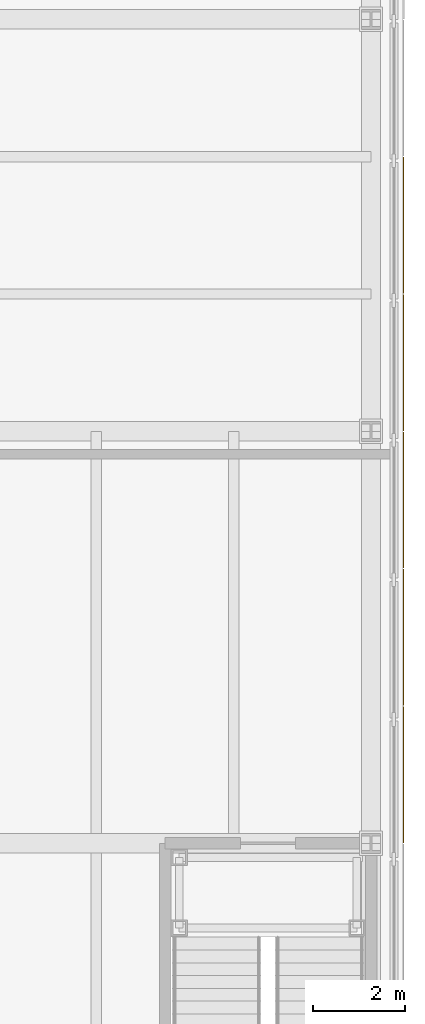
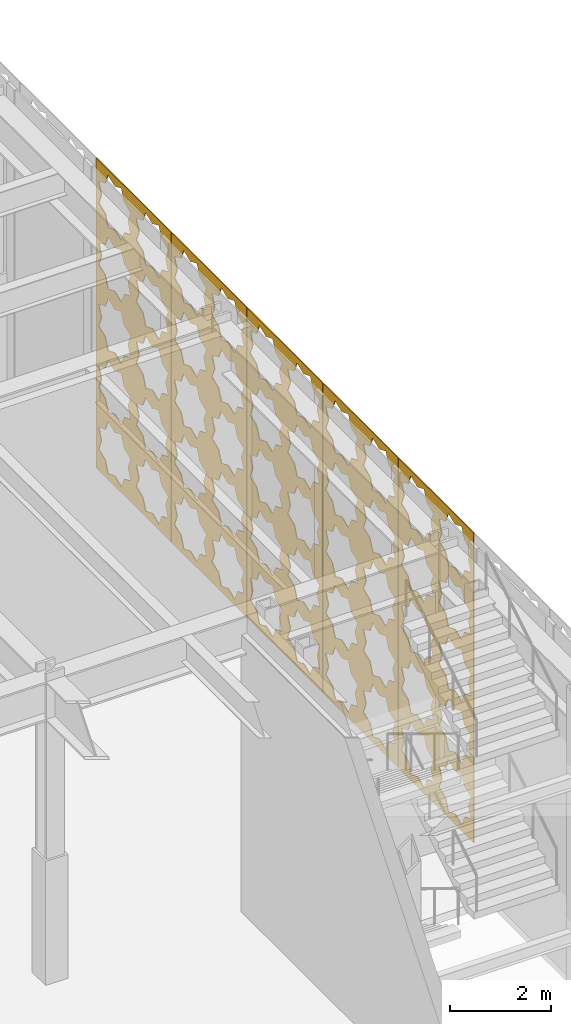
# One storey, part 31 of 34: 5 shading devices.
"""IFC4 building model written with IfcOpenShell, lengths in metres."""

import ifcopenshell
import ifcopenshell.guid

model = None  # the IFC model being written
_history = None  # IfcOwnerHistory: only IFC2X3 demands one
_inside = {}  # id of a spatial element -> (the spatial element, [elements in it])
_under = {}  # id of a project, library or spatial element -> (it, [spatial elements below it])
_declared = {}  # id of a project -> (the project, [libraries it declares])
_typed = {}  # id of a type object -> (the type object, [elements of that type])
_made_of = {}  # id of a material, layer set ... -> (it, [elements and type objects made of it])


def new_model(schema):
    """Start an empty IFC model of exactly this schema.

    Asked for "IFC4X3", IfcOpenShell would pick the latest addendum, in which some entities
    have other attributes; the version numbers below select the first issue.
    IFC2X3 requires an IfcOwnerHistory on every rooted entity: one is made here for all.
    """
    global model, _history
    if schema == "IFC4X3":
        model = ifcopenshell.file(schema_version=(4, 3, 0, 0))
    else:
        model = ifcopenshell.file(schema=schema)
    _inside.clear()
    _under.clear()
    _declared.clear()
    _typed.clear()
    _made_of.clear()
    _history = None
    if model.schema == "IFC2X3":
        org = make("IfcOrganization", Name="unknown")
        user = make(
            "IfcPersonAndOrganization",
            ThePerson=make("IfcPerson", FamilyName="unknown"),
            TheOrganization=org,
        )
        app = make(
            "IfcApplication",
            ApplicationDeveloper=org,
            Version="unknown",
            ApplicationFullName="unknown",
            ApplicationIdentifier="unknown",
        )
        _history = make(
            "IfcOwnerHistory",
            OwningUser=user,
            OwningApplication=app,
            ChangeAction="ADDED",
            CreationDate=0,
        )
    return model


def make(cls, **values):
    """One entity of the class cls with the attributes given. An attribute that is None is left unset."""
    return model.create_entity(
        cls, **{name: value for name, value in values.items() if value is not None}
    )


def rooted(cls, **values):
    """An entity with a GlobalId (a new one), such as an element, a storey or a relation."""
    return make(cls, GlobalId=ifcopenshell.guid.new(), OwnerHistory=_history, **values)


def si_unit(unit_type, name, prefix=None):
    """IfcSIUnit, for example si_unit("LENGTHUNIT", "METRE", prefix="MILLI")."""
    return make("IfcSIUnit", UnitType=unit_type, Prefix=prefix, Name=name)


def assignment(units):
    """IfcUnitAssignment: the units of a project."""
    return None if units is None else make("IfcUnitAssignment", Units=units)


def point(xyz):
    """IfcCartesianPoint."""
    return None if xyz is None else make("IfcCartesianPoint", Coordinates=xyz)


def direction(xyz):
    """IfcDirection."""
    return None if xyz is None else make("IfcDirection", DirectionRatios=xyz)


def frame(location, z_axis=None, x_axis=None):
    """IfcAxis2Placement3D, a coordinate frame: its origin and axes. An axis left out is left unset."""
    return make(
        "IfcAxis2Placement3D",
        Location=point(location),
        Axis=direction(z_axis),
        RefDirection=direction(x_axis),
    )


def origin():
    """The frame at (0, 0, 0) with its axes left unset."""
    return frame((0.0, 0.0, 0.0))


def place(relative_to, where):
    """IfcLocalPlacement: puts the frame where relative to a parent placement (None: the world)."""
    return make(
        "IfcLocalPlacement", PlacementRelTo=relative_to, RelativePlacement=where
    )


def context(
    kind, dimensions, precision=None, world=None, true_north=None, identifier=None
):
    """IfcGeometricRepresentationContext, for example the 3D "Model" context."""
    return make(
        "IfcGeometricRepresentationContext",
        ContextIdentifier=identifier,
        ContextType=kind,
        CoordinateSpaceDimension=dimensions,
        Precision=precision,
        WorldCoordinateSystem=world,
        TrueNorth=true_north,
    )


def subcontext(parent, identifier, kind, view, scale=None):
    """IfcGeometricRepresentationSubContext, for example "Body" below "Model"."""
    return make(
        "IfcGeometricRepresentationSubContext",
        ContextIdentifier=identifier,
        ContextType=kind,
        ParentContext=parent,
        TargetScale=scale,
        TargetView=view,
    )


def project(units=None, contexts=None):
    """IfcProject with its units and contexts."""
    return rooted(
        "IfcProject",
        Name="project",
        RepresentationContexts=contexts,
        UnitsInContext=assignment(units),
    )


def spatial(cls, under=None, at=None, **own):
    """A site, building, storey or space (cls), placed at a placement, below another one or the project."""
    s = rooted(cls, ObjectPlacement=at, **own)
    if under is not None:
        _under.setdefault(under.id(), (under, []))[1].append(s)
    return s


def polyline(points):
    """IfcPolyline through the points."""
    return make("IfcPolyline", Points=[point(p) for p in points])


def outline(outer, holes=None, kind="AREA"):
    """IfcArbitraryClosedProfileDef: a profile drawn as a closed curve; with holes, ...WithVoids."""
    if holes is None:
        return make("IfcArbitraryClosedProfileDef", ProfileType=kind, OuterCurve=outer)
    return make(
        "IfcArbitraryProfileDefWithVoids",
        ProfileType=kind,
        OuterCurve=outer,
        InnerCurves=holes,
    )


def extrude(swept, where, along, depth):
    """IfcExtrudedAreaSolid: the profile swept, set in the frame where, extruded along a direction by depth."""
    return make(
        "IfcExtrudedAreaSolid",
        SweptArea=swept,
        Position=where,
        ExtrudedDirection=direction(along),
        Depth=depth,
    )


def shape(context_of_items, identifier, shape_type, items):
    """IfcShapeRepresentation: the items that make up one representation, for example the "Body"."""
    return make(
        "IfcShapeRepresentation",
        ContextOfItems=context_of_items,
        RepresentationIdentifier=identifier,
        RepresentationType=shape_type,
        Items=items,
    )


def material(Name=None, Category=None):
    """IfcMaterial."""
    return make("IfcMaterial", Name=Name, Category=Category)


def layer(
    of_material, thickness, ventilated=None, Name=None, Category=None, Priority=None
):
    """IfcMaterialLayer: one layer of a wall or slab, of a material (None: an air gap)."""
    return make(
        "IfcMaterialLayer",
        Material=of_material,
        LayerThickness=thickness,
        IsVentilated=ventilated,
        Name=Name,
        Category=Category,
        Priority=Priority,
    )


def layer_set(layers, Name=None):
    """IfcMaterialLayerSet."""
    return make("IfcMaterialLayerSet", MaterialLayers=layers, LayerSetName=Name)


def made_of(thing, what):
    """Note that an element or type object is made of a material, layer set ...; save() writes the relation."""
    if what is not None:
        _made_of.setdefault(what.id(), (what, []))[1].append(thing)
    return thing


def type_object(cls, material=None, **own):
    """A type object (cls), such as IfcWallType, which elements share."""
    return made_of(rooted(cls, **own), material)


def element(
    cls,
    number,
    at=None,
    inside=None,
    cuts=None,
    type_object=None,
    material=None,
    context=None,
    identifier="Body",
    shape_type=None,
    held_by="IfcProductDefinitionShape",
    body=None,
    shapes=None,
    **own,
):
    """One element of the class cls, such as IfcWall. Its Tag is "e" and its number.

    at: its placement. inside: the storey or other place that contains it. cuts: it is an
    opening in that element (IfcRelVoidsElement). A single representation is given by context,
    identifier, shape_type and body (its items); several are given by shapes. held_by: the class
    of the entity that holds the representations. save() writes the other relations.
    """
    e = rooted(cls, Tag="e%d" % number, ObjectPlacement=at, **own)
    if body is not None:
        shapes = [shape(context, identifier, shape_type, body)]
    if shapes is not None:
        e.Representation = make(held_by, Representations=shapes)
    if inside is not None:
        _inside.setdefault(inside.id(), (inside, []))[1].append(e)
    if cuts is not None:
        rooted(
            "IfcRelVoidsElement", RelatingBuildingElement=cuts, RelatedOpeningElement=e
        )
    if type_object is not None:
        _typed.setdefault(type_object.id(), (type_object, []))[1].append(e)
    return made_of(e, material)


def aggregate(whole, parts):
    """IfcRelAggregates: a whole, such as a stair, and the parts it consists of."""
    return rooted("IfcRelAggregates", RelatingObject=whole, RelatedObjects=parts)


def save(model, path):
    """Write the relations noted so far, then the file.

    IfcRelAggregates (storeys below a building ...), IfcRelContainedInSpatialStructure (elements
    in a storey), IfcRelDefinesByType, IfcRelAssociatesMaterial and IfcRelDeclares: one each for
    every whole, place, type object, material and project.
    """
    for whole, parts in _under.values():
        aggregate(whole, parts)
    for where, things in _inside.values():
        rooted(
            "IfcRelContainedInSpatialStructure",
            RelatedElements=things,
            RelatingStructure=where,
        )
    for kind, things in _typed.values():
        rooted("IfcRelDefinesByType", RelatedObjects=things, RelatingType=kind)
    for what, things in _made_of.values():
        rooted("IfcRelAssociatesMaterial", RelatedObjects=things, RelatingMaterial=what)
    for by, libraries in _declared.values():
        rooted("IfcRelDeclares", RelatingContext=by, RelatedDefinitions=libraries)
    model.write(path)


model = new_model("IFC4")

# Units and contexts
model_context = context("Model", 3, precision=1e-05, world=origin(), true_north=direction((0.0, 1.0)))
body_context = subcontext(model_context, "Body", "Model", "MODEL_VIEW")
ifc_project = project(units=[si_unit("LENGTHUNIT", "METRE"), si_unit("AREAUNIT", "SQUARE_METRE"), si_unit("VOLUMEUNIT", "CUBIC_METRE"), si_unit("PLANEANGLEUNIT", "RADIAN"), si_unit("MASSUNIT", "GRAM", prefix="KILO")], contexts=[model_context])

# Site, building, storey
site_placement = place(None, origin())
site = spatial("IfcSite", under=ifc_project, at=site_placement, CompositionType="ELEMENT")
building_placement = place(site_placement, origin())
building = spatial("IfcBuilding", under=site, at=building_placement, Name="Chuquiago Exchange Tower", CompositionType="ELEMENT")
storey_placement = place(building_placement, frame((0.0, 0.0, 6.0)))
storey = spatial("IfcBuildingStorey", under=building, at=storey_placement, Name="L01", CompositionType="ELEMENT", Elevation=6.0)

# Shading devices
ifc_material = material(Name="Pale metal, perforated in an eight-point star pattern", Category="aluminium")
ifc_layer = layer(ifc_material, 0.02001953125)
ifc_layer_set = layer_set([ifc_layer], Name="SC1 mashrabiya screen 20")
shading_device_type = type_object("IfcShadingDeviceType", Name="SC1 mashrabiya screen 20", PredefinedType="SHUTTER", material=ifc_layer_set)
shading_device_1_placement = place(storey_placement, frame((54.699951171875, -8.989990234375, -0.199951171875), z_axis=(0.0, 0.0, 1.0), x_axis=(0.0, 1.0, 0.0)))
element("IfcShadingDevice", 1, at=shading_device_1_placement, inside=storey, type_object=shading_device_type, Name="Mashrabiya screen L01 E 4", PredefinedType="SHUTTER", context=body_context, shape_type="SweptSolid", body=[
    extrude(outline(polyline([(0.0, 0.0), (2.97998046875, 0.0), (2.97998046875, 7.5), (0.0, 7.5), (0.0, 0.0)]), holes=[polyline([(1.26953125, 0.77001953125), (1.378173828125, 1.0322265625), (1.115966796875, 1.140869140625), (1.00732421875, 1.403076171875), (0.7451171875, 1.29443359375), (0.482666015625, 1.403076171875), (0.3740234375, 1.140869140625), (0.11181640625, 1.0322265625), (0.220458984375, 0.77001953125), (0.11181640625, 0.507568359375), (0.3740234375, 0.39892578125), (0.482666015625, 0.13671875), (0.7451171875, 0.245361328125), (1.00732421875, 0.13671875), (1.115966796875, 0.39892578125), (1.378173828125, 0.507568359375), (1.26953125, 0.77001953125)]), polyline([(2.759521484375, 0.77001953125), (2.8681640625, 1.0322265625), (2.60595703125, 1.140869140625), (2.497314453125, 1.403076171875), (2.235107421875, 1.29443359375), (1.97265625, 1.403076171875), (1.864013671875, 1.140869140625), (1.601806640625, 1.0322265625), (1.71044921875, 0.77001953125), (1.601806640625, 0.507568359375), (1.864013671875, 0.39892578125), (1.97265625, 0.13671875), (2.235107421875, 0.245361328125), (2.497314453125, 0.13671875), (2.60595703125, 0.39892578125), (2.8681640625, 0.507568359375), (2.759521484375, 0.77001953125)]), polyline([(1.26953125, 2.260009765625), (1.378173828125, 2.522216796875), (1.115966796875, 2.630859375), (1.00732421875, 2.89306640625), (0.7451171875, 2.78466796875), (0.482666015625, 2.89306640625), (0.3740234375, 2.630859375), (0.11181640625, 2.522216796875), (0.220458984375, 2.260009765625), (0.11181640625, 1.99755859375), (0.3740234375, 1.888916015625), (0.482666015625, 1.626708984375), (0.7451171875, 1.7353515625), (1.00732421875, 1.626708984375), (1.115966796875, 1.888916015625), (1.378173828125, 1.99755859375), (1.26953125, 2.260009765625)]), polyline([(2.759521484375, 2.260009765625), (2.8681640625, 2.522216796875), (2.60595703125, 2.630859375), (2.497314453125, 2.89306640625), (2.235107421875, 2.78466796875), (1.97265625, 2.89306640625), (1.864013671875, 2.630859375), (1.601806640625, 2.522216796875), (1.71044921875, 2.260009765625), (1.601806640625, 1.99755859375), (1.864013671875, 1.888916015625), (1.97265625, 1.626708984375), (2.235107421875, 1.7353515625), (2.497314453125, 1.626708984375), (2.60595703125, 1.888916015625), (2.8681640625, 1.99755859375), (2.759521484375, 2.260009765625)]), polyline([(1.26953125, 3.75), (1.378173828125, 4.01220703125), (1.115966796875, 4.120849609375), (1.00732421875, 4.383056640625), (0.7451171875, 4.274658203125), (0.482666015625, 4.383056640625), (0.3740234375, 4.120849609375), (0.11181640625, 4.01220703125), (0.220458984375, 3.75), (0.11181640625, 3.487548828125), (0.3740234375, 3.37890625), (0.482666015625, 3.11669921875), (0.7451171875, 3.225341796875), (1.00732421875, 3.11669921875), (1.115966796875, 3.37890625), (1.378173828125, 3.487548828125), (1.26953125, 3.75)]), polyline([(2.759521484375, 3.75), (2.8681640625, 4.01220703125), (2.60595703125, 4.120849609375), (2.497314453125, 4.383056640625), (2.235107421875, 4.274658203125), (1.97265625, 4.383056640625), (1.864013671875, 4.120849609375), (1.601806640625, 4.01220703125), (1.71044921875, 3.75), (1.601806640625, 3.487548828125), (1.864013671875, 3.37890625), (1.97265625, 3.11669921875), (2.235107421875, 3.225341796875), (2.497314453125, 3.11669921875), (2.60595703125, 3.37890625), (2.8681640625, 3.487548828125), (2.759521484375, 3.75)]), polyline([(1.26953125, 5.239990234375), (1.378173828125, 5.502197265625), (1.115966796875, 5.61083984375), (1.00732421875, 5.873046875), (0.7451171875, 5.7646484375), (0.482666015625, 5.873046875), (0.3740234375, 5.61083984375), (0.11181640625, 5.502197265625), (0.220458984375, 5.239990234375), (0.11181640625, 4.9775390625), (0.3740234375, 4.868896484375), (0.482666015625, 4.606689453125), (0.7451171875, 4.71533203125), (1.00732421875, 4.606689453125), (1.115966796875, 4.868896484375), (1.378173828125, 4.9775390625), (1.26953125, 5.239990234375)]), polyline([(2.759521484375, 5.239990234375), (2.8681640625, 5.502197265625), (2.60595703125, 5.61083984375), (2.497314453125, 5.873046875), (2.235107421875, 5.7646484375), (1.97265625, 5.873046875), (1.864013671875, 5.61083984375), (1.601806640625, 5.502197265625), (1.71044921875, 5.239990234375), (1.601806640625, 4.9775390625), (1.864013671875, 4.868896484375), (1.97265625, 4.606689453125), (2.235107421875, 4.71533203125), (2.497314453125, 4.606689453125), (2.60595703125, 4.868896484375), (2.8681640625, 4.9775390625), (2.759521484375, 5.239990234375)]), polyline([(1.26953125, 6.72998046875), (1.378173828125, 6.9921875), (1.115966796875, 7.100830078125), (1.00732421875, 7.363037109375), (0.7451171875, 7.254638671875), (0.482666015625, 7.363037109375), (0.3740234375, 7.100830078125), (0.11181640625, 6.9921875), (0.220458984375, 6.72998046875), (0.11181640625, 6.467529296875), (0.3740234375, 6.35888671875), (0.482666015625, 6.0966796875), (0.7451171875, 6.205322265625), (1.00732421875, 6.0966796875), (1.115966796875, 6.35888671875), (1.378173828125, 6.467529296875), (1.26953125, 6.72998046875)]), polyline([(2.759521484375, 6.72998046875), (2.8681640625, 6.9921875), (2.60595703125, 7.100830078125), (2.497314453125, 7.363037109375), (2.235107421875, 7.254638671875), (1.97265625, 7.363037109375), (1.864013671875, 7.100830078125), (1.601806640625, 6.9921875), (1.71044921875, 6.72998046875), (1.601806640625, 6.467529296875), (1.864013671875, 6.35888671875), (1.97265625, 6.0966796875), (2.235107421875, 6.205322265625), (2.497314453125, 6.0966796875), (2.60595703125, 6.35888671875), (2.8681640625, 6.467529296875), (2.759521484375, 6.72998046875)])]), frame((0.0, 0.0, 0.0), z_axis=(0.0, -1.0, 0.0), x_axis=(1.0, 0.0, 0.0)), (0.0, 0.0, 1.0), 0.02001953125),
])
shading_device_2_placement = place(storey_placement, frame((54.699951171875, -5.989990234375, -0.199951171875), z_axis=(0.0, 0.0, 1.0), x_axis=(0.0, 1.0, 0.0)))
element("IfcShadingDevice", 2, at=shading_device_2_placement, inside=storey, type_object=shading_device_type, Name="Mashrabiya screen L01 E 5", PredefinedType="SHUTTER", context=body_context, shape_type="SweptSolid", body=[
    extrude(outline(polyline([(0.0, 0.0), (2.97998046875, 0.0), (2.97998046875, 7.5), (0.0, 7.5), (0.0, 0.0)]), holes=[polyline([(1.26953125, 0.77001953125), (1.378173828125, 1.0322265625), (1.115966796875, 1.140869140625), (1.00732421875, 1.403076171875), (0.7451171875, 1.29443359375), (0.482666015625, 1.403076171875), (0.3740234375, 1.140869140625), (0.11181640625, 1.0322265625), (0.220458984375, 0.77001953125), (0.11181640625, 0.507568359375), (0.3740234375, 0.39892578125), (0.482666015625, 0.13671875), (0.7451171875, 0.245361328125), (1.00732421875, 0.13671875), (1.115966796875, 0.39892578125), (1.378173828125, 0.507568359375), (1.26953125, 0.77001953125)]), polyline([(2.759521484375, 0.77001953125), (2.8681640625, 1.0322265625), (2.60595703125, 1.140869140625), (2.497314453125, 1.403076171875), (2.235107421875, 1.29443359375), (1.97265625, 1.403076171875), (1.864013671875, 1.140869140625), (1.601806640625, 1.0322265625), (1.71044921875, 0.77001953125), (1.601806640625, 0.507568359375), (1.864013671875, 0.39892578125), (1.97265625, 0.13671875), (2.235107421875, 0.245361328125), (2.497314453125, 0.13671875), (2.60595703125, 0.39892578125), (2.8681640625, 0.507568359375), (2.759521484375, 0.77001953125)]), polyline([(1.26953125, 2.260009765625), (1.378173828125, 2.522216796875), (1.115966796875, 2.630859375), (1.00732421875, 2.89306640625), (0.7451171875, 2.78466796875), (0.482666015625, 2.89306640625), (0.3740234375, 2.630859375), (0.11181640625, 2.522216796875), (0.220458984375, 2.260009765625), (0.11181640625, 1.99755859375), (0.3740234375, 1.888916015625), (0.482666015625, 1.626708984375), (0.7451171875, 1.7353515625), (1.00732421875, 1.626708984375), (1.115966796875, 1.888916015625), (1.378173828125, 1.99755859375), (1.26953125, 2.260009765625)]), polyline([(2.759521484375, 2.260009765625), (2.8681640625, 2.522216796875), (2.60595703125, 2.630859375), (2.497314453125, 2.89306640625), (2.235107421875, 2.78466796875), (1.97265625, 2.89306640625), (1.864013671875, 2.630859375), (1.601806640625, 2.522216796875), (1.71044921875, 2.260009765625), (1.601806640625, 1.99755859375), (1.864013671875, 1.888916015625), (1.97265625, 1.626708984375), (2.235107421875, 1.7353515625), (2.497314453125, 1.626708984375), (2.60595703125, 1.888916015625), (2.8681640625, 1.99755859375), (2.759521484375, 2.260009765625)]), polyline([(1.26953125, 3.75), (1.378173828125, 4.01220703125), (1.115966796875, 4.120849609375), (1.00732421875, 4.383056640625), (0.7451171875, 4.274658203125), (0.482666015625, 4.383056640625), (0.3740234375, 4.120849609375), (0.11181640625, 4.01220703125), (0.220458984375, 3.75), (0.11181640625, 3.487548828125), (0.3740234375, 3.37890625), (0.482666015625, 3.11669921875), (0.7451171875, 3.225341796875), (1.00732421875, 3.11669921875), (1.115966796875, 3.37890625), (1.378173828125, 3.487548828125), (1.26953125, 3.75)]), polyline([(2.759521484375, 3.75), (2.8681640625, 4.01220703125), (2.60595703125, 4.120849609375), (2.497314453125, 4.383056640625), (2.235107421875, 4.274658203125), (1.97265625, 4.383056640625), (1.864013671875, 4.120849609375), (1.601806640625, 4.01220703125), (1.71044921875, 3.75), (1.601806640625, 3.487548828125), (1.864013671875, 3.37890625), (1.97265625, 3.11669921875), (2.235107421875, 3.225341796875), (2.497314453125, 3.11669921875), (2.60595703125, 3.37890625), (2.8681640625, 3.487548828125), (2.759521484375, 3.75)]), polyline([(1.26953125, 5.239990234375), (1.378173828125, 5.502197265625), (1.115966796875, 5.61083984375), (1.00732421875, 5.873046875), (0.7451171875, 5.7646484375), (0.482666015625, 5.873046875), (0.3740234375, 5.61083984375), (0.11181640625, 5.502197265625), (0.220458984375, 5.239990234375), (0.11181640625, 4.9775390625), (0.3740234375, 4.868896484375), (0.482666015625, 4.606689453125), (0.7451171875, 4.71533203125), (1.00732421875, 4.606689453125), (1.115966796875, 4.868896484375), (1.378173828125, 4.9775390625), (1.26953125, 5.239990234375)]), polyline([(2.759521484375, 5.239990234375), (2.8681640625, 5.502197265625), (2.60595703125, 5.61083984375), (2.497314453125, 5.873046875), (2.235107421875, 5.7646484375), (1.97265625, 5.873046875), (1.864013671875, 5.61083984375), (1.601806640625, 5.502197265625), (1.71044921875, 5.239990234375), (1.601806640625, 4.9775390625), (1.864013671875, 4.868896484375), (1.97265625, 4.606689453125), (2.235107421875, 4.71533203125), (2.497314453125, 4.606689453125), (2.60595703125, 4.868896484375), (2.8681640625, 4.9775390625), (2.759521484375, 5.239990234375)]), polyline([(1.26953125, 6.72998046875), (1.378173828125, 6.9921875), (1.115966796875, 7.100830078125), (1.00732421875, 7.363037109375), (0.7451171875, 7.254638671875), (0.482666015625, 7.363037109375), (0.3740234375, 7.100830078125), (0.11181640625, 6.9921875), (0.220458984375, 6.72998046875), (0.11181640625, 6.467529296875), (0.3740234375, 6.35888671875), (0.482666015625, 6.0966796875), (0.7451171875, 6.205322265625), (1.00732421875, 6.0966796875), (1.115966796875, 6.35888671875), (1.378173828125, 6.467529296875), (1.26953125, 6.72998046875)]), polyline([(2.759521484375, 6.72998046875), (2.8681640625, 6.9921875), (2.60595703125, 7.100830078125), (2.497314453125, 7.363037109375), (2.235107421875, 7.254638671875), (1.97265625, 7.363037109375), (1.864013671875, 7.100830078125), (1.601806640625, 6.9921875), (1.71044921875, 6.72998046875), (1.601806640625, 6.467529296875), (1.864013671875, 6.35888671875), (1.97265625, 6.0966796875), (2.235107421875, 6.205322265625), (2.497314453125, 6.0966796875), (2.60595703125, 6.35888671875), (2.8681640625, 6.467529296875), (2.759521484375, 6.72998046875)])]), frame((0.0, 0.0, 0.0), z_axis=(0.0, -1.0, 0.0), x_axis=(1.0, 0.0, 0.0)), (0.0, 0.0, 1.0), 0.02001953125),
])
shading_device_3_placement = place(storey_placement, frame((54.699951171875, -2.989990234375, -0.199951171875), z_axis=(0.0, 0.0, 1.0), x_axis=(0.0, 1.0, 0.0)))
element("IfcShadingDevice", 3, at=shading_device_3_placement, inside=storey, type_object=shading_device_type, Name="Mashrabiya screen L01 E 6", PredefinedType="SHUTTER", context=body_context, shape_type="SweptSolid", body=[
    extrude(outline(polyline([(0.0, 0.0), (2.97998046875, 0.0), (2.97998046875, 7.5), (0.0, 7.5), (0.0, 0.0)]), holes=[polyline([(1.26953125, 0.77001953125), (1.378173828125, 1.0322265625), (1.115966796875, 1.140869140625), (1.00732421875, 1.403076171875), (0.7451171875, 1.29443359375), (0.482666015625, 1.403076171875), (0.3740234375, 1.140869140625), (0.11181640625, 1.0322265625), (0.220458984375, 0.77001953125), (0.11181640625, 0.507568359375), (0.3740234375, 0.39892578125), (0.482666015625, 0.13671875), (0.7451171875, 0.245361328125), (1.00732421875, 0.13671875), (1.115966796875, 0.39892578125), (1.378173828125, 0.507568359375), (1.26953125, 0.77001953125)]), polyline([(2.759521484375, 0.77001953125), (2.8681640625, 1.0322265625), (2.60595703125, 1.140869140625), (2.497314453125, 1.403076171875), (2.235107421875, 1.29443359375), (1.97265625, 1.403076171875), (1.864013671875, 1.140869140625), (1.601806640625, 1.0322265625), (1.71044921875, 0.77001953125), (1.601806640625, 0.507568359375), (1.864013671875, 0.39892578125), (1.97265625, 0.13671875), (2.235107421875, 0.245361328125), (2.497314453125, 0.13671875), (2.60595703125, 0.39892578125), (2.8681640625, 0.507568359375), (2.759521484375, 0.77001953125)]), polyline([(1.26953125, 2.260009765625), (1.378173828125, 2.522216796875), (1.115966796875, 2.630859375), (1.00732421875, 2.89306640625), (0.7451171875, 2.78466796875), (0.482666015625, 2.89306640625), (0.3740234375, 2.630859375), (0.11181640625, 2.522216796875), (0.220458984375, 2.260009765625), (0.11181640625, 1.99755859375), (0.3740234375, 1.888916015625), (0.482666015625, 1.626708984375), (0.7451171875, 1.7353515625), (1.00732421875, 1.626708984375), (1.115966796875, 1.888916015625), (1.378173828125, 1.99755859375), (1.26953125, 2.260009765625)]), polyline([(2.759521484375, 2.260009765625), (2.8681640625, 2.522216796875), (2.60595703125, 2.630859375), (2.497314453125, 2.89306640625), (2.235107421875, 2.78466796875), (1.97265625, 2.89306640625), (1.864013671875, 2.630859375), (1.601806640625, 2.522216796875), (1.71044921875, 2.260009765625), (1.601806640625, 1.99755859375), (1.864013671875, 1.888916015625), (1.97265625, 1.626708984375), (2.235107421875, 1.7353515625), (2.497314453125, 1.626708984375), (2.60595703125, 1.888916015625), (2.8681640625, 1.99755859375), (2.759521484375, 2.260009765625)]), polyline([(1.26953125, 3.75), (1.378173828125, 4.01220703125), (1.115966796875, 4.120849609375), (1.00732421875, 4.383056640625), (0.7451171875, 4.274658203125), (0.482666015625, 4.383056640625), (0.3740234375, 4.120849609375), (0.11181640625, 4.01220703125), (0.220458984375, 3.75), (0.11181640625, 3.487548828125), (0.3740234375, 3.37890625), (0.482666015625, 3.11669921875), (0.7451171875, 3.225341796875), (1.00732421875, 3.11669921875), (1.115966796875, 3.37890625), (1.378173828125, 3.487548828125), (1.26953125, 3.75)]), polyline([(2.759521484375, 3.75), (2.8681640625, 4.01220703125), (2.60595703125, 4.120849609375), (2.497314453125, 4.383056640625), (2.235107421875, 4.274658203125), (1.97265625, 4.383056640625), (1.864013671875, 4.120849609375), (1.601806640625, 4.01220703125), (1.71044921875, 3.75), (1.601806640625, 3.487548828125), (1.864013671875, 3.37890625), (1.97265625, 3.11669921875), (2.235107421875, 3.225341796875), (2.497314453125, 3.11669921875), (2.60595703125, 3.37890625), (2.8681640625, 3.487548828125), (2.759521484375, 3.75)]), polyline([(1.26953125, 5.239990234375), (1.378173828125, 5.502197265625), (1.115966796875, 5.61083984375), (1.00732421875, 5.873046875), (0.7451171875, 5.7646484375), (0.482666015625, 5.873046875), (0.3740234375, 5.61083984375), (0.11181640625, 5.502197265625), (0.220458984375, 5.239990234375), (0.11181640625, 4.9775390625), (0.3740234375, 4.868896484375), (0.482666015625, 4.606689453125), (0.7451171875, 4.71533203125), (1.00732421875, 4.606689453125), (1.115966796875, 4.868896484375), (1.378173828125, 4.9775390625), (1.26953125, 5.239990234375)]), polyline([(2.759521484375, 5.239990234375), (2.8681640625, 5.502197265625), (2.60595703125, 5.61083984375), (2.497314453125, 5.873046875), (2.235107421875, 5.7646484375), (1.97265625, 5.873046875), (1.864013671875, 5.61083984375), (1.601806640625, 5.502197265625), (1.71044921875, 5.239990234375), (1.601806640625, 4.9775390625), (1.864013671875, 4.868896484375), (1.97265625, 4.606689453125), (2.235107421875, 4.71533203125), (2.497314453125, 4.606689453125), (2.60595703125, 4.868896484375), (2.8681640625, 4.9775390625), (2.759521484375, 5.239990234375)]), polyline([(1.26953125, 6.72998046875), (1.378173828125, 6.9921875), (1.115966796875, 7.100830078125), (1.00732421875, 7.363037109375), (0.7451171875, 7.254638671875), (0.482666015625, 7.363037109375), (0.3740234375, 7.100830078125), (0.11181640625, 6.9921875), (0.220458984375, 6.72998046875), (0.11181640625, 6.467529296875), (0.3740234375, 6.35888671875), (0.482666015625, 6.0966796875), (0.7451171875, 6.205322265625), (1.00732421875, 6.0966796875), (1.115966796875, 6.35888671875), (1.378173828125, 6.467529296875), (1.26953125, 6.72998046875)]), polyline([(2.759521484375, 6.72998046875), (2.8681640625, 6.9921875), (2.60595703125, 7.100830078125), (2.497314453125, 7.363037109375), (2.235107421875, 7.254638671875), (1.97265625, 7.363037109375), (1.864013671875, 7.100830078125), (1.601806640625, 6.9921875), (1.71044921875, 6.72998046875), (1.601806640625, 6.467529296875), (1.864013671875, 6.35888671875), (1.97265625, 6.0966796875), (2.235107421875, 6.205322265625), (2.497314453125, 6.0966796875), (2.60595703125, 6.35888671875), (2.8681640625, 6.467529296875), (2.759521484375, 6.72998046875)])]), frame((0.0, 0.0, 0.0), z_axis=(0.0, -1.0, 0.0), x_axis=(1.0, 0.0, 0.0)), (0.0, 0.0, 1.0), 0.02001953125),
])
shading_device_4_placement = place(storey_placement, frame((54.699951171875, 0.010009765625, -0.199951171875), z_axis=(0.0, 0.0, 1.0), x_axis=(0.0, 1.0, 0.0)))
element("IfcShadingDevice", 4, at=shading_device_4_placement, inside=storey, type_object=shading_device_type, Name="Mashrabiya screen L01 E 7", PredefinedType="SHUTTER", context=body_context, shape_type="SweptSolid", body=[
    extrude(outline(polyline([(0.0, 0.0), (2.97998046875, 0.0), (2.97998046875, 7.5), (0.0, 7.5), (0.0, 0.0)]), holes=[polyline([(1.26953125, 0.77001953125), (1.378173828125, 1.0322265625), (1.115966796875, 1.140869140625), (1.00732421875, 1.403076171875), (0.7451171875, 1.29443359375), (0.482666015625, 1.403076171875), (0.3740234375, 1.140869140625), (0.11181640625, 1.0322265625), (0.220458984375, 0.77001953125), (0.11181640625, 0.507568359375), (0.3740234375, 0.39892578125), (0.482666015625, 0.13671875), (0.7451171875, 0.245361328125), (1.00732421875, 0.13671875), (1.115966796875, 0.39892578125), (1.378173828125, 0.507568359375), (1.26953125, 0.77001953125)]), polyline([(2.759521484375, 0.77001953125), (2.8681640625, 1.0322265625), (2.60595703125, 1.140869140625), (2.497314453125, 1.403076171875), (2.235107421875, 1.29443359375), (1.97265625, 1.403076171875), (1.864013671875, 1.140869140625), (1.601806640625, 1.0322265625), (1.71044921875, 0.77001953125), (1.601806640625, 0.507568359375), (1.864013671875, 0.39892578125), (1.97265625, 0.13671875), (2.235107421875, 0.245361328125), (2.497314453125, 0.13671875), (2.60595703125, 0.39892578125), (2.8681640625, 0.507568359375), (2.759521484375, 0.77001953125)]), polyline([(1.26953125, 2.260009765625), (1.378173828125, 2.522216796875), (1.115966796875, 2.630859375), (1.00732421875, 2.89306640625), (0.7451171875, 2.78466796875), (0.482666015625, 2.89306640625), (0.3740234375, 2.630859375), (0.11181640625, 2.522216796875), (0.220458984375, 2.260009765625), (0.11181640625, 1.99755859375), (0.3740234375, 1.888916015625), (0.482666015625, 1.626708984375), (0.7451171875, 1.7353515625), (1.00732421875, 1.626708984375), (1.115966796875, 1.888916015625), (1.378173828125, 1.99755859375), (1.26953125, 2.260009765625)]), polyline([(2.759521484375, 2.260009765625), (2.8681640625, 2.522216796875), (2.60595703125, 2.630859375), (2.497314453125, 2.89306640625), (2.235107421875, 2.78466796875), (1.97265625, 2.89306640625), (1.864013671875, 2.630859375), (1.601806640625, 2.522216796875), (1.71044921875, 2.260009765625), (1.601806640625, 1.99755859375), (1.864013671875, 1.888916015625), (1.97265625, 1.626708984375), (2.235107421875, 1.7353515625), (2.497314453125, 1.626708984375), (2.60595703125, 1.888916015625), (2.8681640625, 1.99755859375), (2.759521484375, 2.260009765625)]), polyline([(1.26953125, 3.75), (1.378173828125, 4.01220703125), (1.115966796875, 4.120849609375), (1.00732421875, 4.383056640625), (0.7451171875, 4.274658203125), (0.482666015625, 4.383056640625), (0.3740234375, 4.120849609375), (0.11181640625, 4.01220703125), (0.220458984375, 3.75), (0.11181640625, 3.487548828125), (0.3740234375, 3.37890625), (0.482666015625, 3.11669921875), (0.7451171875, 3.225341796875), (1.00732421875, 3.11669921875), (1.115966796875, 3.37890625), (1.378173828125, 3.487548828125), (1.26953125, 3.75)]), polyline([(2.759521484375, 3.75), (2.8681640625, 4.01220703125), (2.60595703125, 4.120849609375), (2.497314453125, 4.383056640625), (2.235107421875, 4.274658203125), (1.97265625, 4.383056640625), (1.864013671875, 4.120849609375), (1.601806640625, 4.01220703125), (1.71044921875, 3.75), (1.601806640625, 3.487548828125), (1.864013671875, 3.37890625), (1.97265625, 3.11669921875), (2.235107421875, 3.225341796875), (2.497314453125, 3.11669921875), (2.60595703125, 3.37890625), (2.8681640625, 3.487548828125), (2.759521484375, 3.75)]), polyline([(1.26953125, 5.239990234375), (1.378173828125, 5.502197265625), (1.115966796875, 5.61083984375), (1.00732421875, 5.873046875), (0.7451171875, 5.7646484375), (0.482666015625, 5.873046875), (0.3740234375, 5.61083984375), (0.11181640625, 5.502197265625), (0.220458984375, 5.239990234375), (0.11181640625, 4.9775390625), (0.3740234375, 4.868896484375), (0.482666015625, 4.606689453125), (0.7451171875, 4.71533203125), (1.00732421875, 4.606689453125), (1.115966796875, 4.868896484375), (1.378173828125, 4.9775390625), (1.26953125, 5.239990234375)]), polyline([(2.759521484375, 5.239990234375), (2.8681640625, 5.502197265625), (2.60595703125, 5.61083984375), (2.497314453125, 5.873046875), (2.235107421875, 5.7646484375), (1.97265625, 5.873046875), (1.864013671875, 5.61083984375), (1.601806640625, 5.502197265625), (1.71044921875, 5.239990234375), (1.601806640625, 4.9775390625), (1.864013671875, 4.868896484375), (1.97265625, 4.606689453125), (2.235107421875, 4.71533203125), (2.497314453125, 4.606689453125), (2.60595703125, 4.868896484375), (2.8681640625, 4.9775390625), (2.759521484375, 5.239990234375)]), polyline([(1.26953125, 6.72998046875), (1.378173828125, 6.9921875), (1.115966796875, 7.100830078125), (1.00732421875, 7.363037109375), (0.7451171875, 7.254638671875), (0.482666015625, 7.363037109375), (0.3740234375, 7.100830078125), (0.11181640625, 6.9921875), (0.220458984375, 6.72998046875), (0.11181640625, 6.467529296875), (0.3740234375, 6.35888671875), (0.482666015625, 6.0966796875), (0.7451171875, 6.205322265625), (1.00732421875, 6.0966796875), (1.115966796875, 6.35888671875), (1.378173828125, 6.467529296875), (1.26953125, 6.72998046875)]), polyline([(2.759521484375, 6.72998046875), (2.8681640625, 6.9921875), (2.60595703125, 7.100830078125), (2.497314453125, 7.363037109375), (2.235107421875, 7.254638671875), (1.97265625, 7.363037109375), (1.864013671875, 7.100830078125), (1.601806640625, 6.9921875), (1.71044921875, 6.72998046875), (1.601806640625, 6.467529296875), (1.864013671875, 6.35888671875), (1.97265625, 6.0966796875), (2.235107421875, 6.205322265625), (2.497314453125, 6.0966796875), (2.60595703125, 6.35888671875), (2.8681640625, 6.467529296875), (2.759521484375, 6.72998046875)])]), frame((0.0, 0.0, 0.0), z_axis=(0.0, -1.0, 0.0), x_axis=(1.0, 0.0, 0.0)), (0.0, 0.0, 1.0), 0.02001953125),
])
shading_device_5_placement = place(storey_placement, frame((54.699951171875, 3.010009765625, -0.199951171875), z_axis=(0.0, 0.0, 1.0), x_axis=(0.0, 1.0, 0.0)))
element("IfcShadingDevice", 5, at=shading_device_5_placement, inside=storey, type_object=shading_device_type, Name="Mashrabiya screen L01 E 8", PredefinedType="SHUTTER", context=body_context, shape_type="SweptSolid", body=[
    extrude(outline(polyline([(0.0, 0.0), (2.97998046875, 0.0), (2.97998046875, 7.5), (0.0, 7.5), (0.0, 0.0)]), holes=[polyline([(1.26953125, 0.77001953125), (1.378173828125, 1.0322265625), (1.115966796875, 1.140869140625), (1.00732421875, 1.403076171875), (0.7451171875, 1.29443359375), (0.482666015625, 1.403076171875), (0.3740234375, 1.140869140625), (0.11181640625, 1.0322265625), (0.220458984375, 0.77001953125), (0.11181640625, 0.507568359375), (0.3740234375, 0.39892578125), (0.482666015625, 0.13671875), (0.7451171875, 0.245361328125), (1.00732421875, 0.13671875), (1.115966796875, 0.39892578125), (1.378173828125, 0.507568359375), (1.26953125, 0.77001953125)]), polyline([(2.759521484375, 0.77001953125), (2.8681640625, 1.0322265625), (2.60595703125, 1.140869140625), (2.497314453125, 1.403076171875), (2.235107421875, 1.29443359375), (1.97265625, 1.403076171875), (1.864013671875, 1.140869140625), (1.601806640625, 1.0322265625), (1.71044921875, 0.77001953125), (1.601806640625, 0.507568359375), (1.864013671875, 0.39892578125), (1.97265625, 0.13671875), (2.235107421875, 0.245361328125), (2.497314453125, 0.13671875), (2.60595703125, 0.39892578125), (2.8681640625, 0.507568359375), (2.759521484375, 0.77001953125)]), polyline([(1.26953125, 2.260009765625), (1.378173828125, 2.522216796875), (1.115966796875, 2.630859375), (1.00732421875, 2.89306640625), (0.7451171875, 2.78466796875), (0.482666015625, 2.89306640625), (0.3740234375, 2.630859375), (0.11181640625, 2.522216796875), (0.220458984375, 2.260009765625), (0.11181640625, 1.99755859375), (0.3740234375, 1.888916015625), (0.482666015625, 1.626708984375), (0.7451171875, 1.7353515625), (1.00732421875, 1.626708984375), (1.115966796875, 1.888916015625), (1.378173828125, 1.99755859375), (1.26953125, 2.260009765625)]), polyline([(2.759521484375, 2.260009765625), (2.8681640625, 2.522216796875), (2.60595703125, 2.630859375), (2.497314453125, 2.89306640625), (2.235107421875, 2.78466796875), (1.97265625, 2.89306640625), (1.864013671875, 2.630859375), (1.601806640625, 2.522216796875), (1.71044921875, 2.260009765625), (1.601806640625, 1.99755859375), (1.864013671875, 1.888916015625), (1.97265625, 1.626708984375), (2.235107421875, 1.7353515625), (2.497314453125, 1.626708984375), (2.60595703125, 1.888916015625), (2.8681640625, 1.99755859375), (2.759521484375, 2.260009765625)]), polyline([(1.26953125, 3.75), (1.378173828125, 4.01220703125), (1.115966796875, 4.120849609375), (1.00732421875, 4.383056640625), (0.7451171875, 4.274658203125), (0.482666015625, 4.383056640625), (0.3740234375, 4.120849609375), (0.11181640625, 4.01220703125), (0.220458984375, 3.75), (0.11181640625, 3.487548828125), (0.3740234375, 3.37890625), (0.482666015625, 3.11669921875), (0.7451171875, 3.225341796875), (1.00732421875, 3.11669921875), (1.115966796875, 3.37890625), (1.378173828125, 3.487548828125), (1.26953125, 3.75)]), polyline([(2.759521484375, 3.75), (2.8681640625, 4.01220703125), (2.60595703125, 4.120849609375), (2.497314453125, 4.383056640625), (2.235107421875, 4.274658203125), (1.97265625, 4.383056640625), (1.864013671875, 4.120849609375), (1.601806640625, 4.01220703125), (1.71044921875, 3.75), (1.601806640625, 3.487548828125), (1.864013671875, 3.37890625), (1.97265625, 3.11669921875), (2.235107421875, 3.225341796875), (2.497314453125, 3.11669921875), (2.60595703125, 3.37890625), (2.8681640625, 3.487548828125), (2.759521484375, 3.75)]), polyline([(1.26953125, 5.239990234375), (1.378173828125, 5.502197265625), (1.115966796875, 5.61083984375), (1.00732421875, 5.873046875), (0.7451171875, 5.7646484375), (0.482666015625, 5.873046875), (0.3740234375, 5.61083984375), (0.11181640625, 5.502197265625), (0.220458984375, 5.239990234375), (0.11181640625, 4.9775390625), (0.3740234375, 4.868896484375), (0.482666015625, 4.606689453125), (0.7451171875, 4.71533203125), (1.00732421875, 4.606689453125), (1.115966796875, 4.868896484375), (1.378173828125, 4.9775390625), (1.26953125, 5.239990234375)]), polyline([(2.759521484375, 5.239990234375), (2.8681640625, 5.502197265625), (2.60595703125, 5.61083984375), (2.497314453125, 5.873046875), (2.235107421875, 5.7646484375), (1.97265625, 5.873046875), (1.864013671875, 5.61083984375), (1.601806640625, 5.502197265625), (1.71044921875, 5.239990234375), (1.601806640625, 4.9775390625), (1.864013671875, 4.868896484375), (1.97265625, 4.606689453125), (2.235107421875, 4.71533203125), (2.497314453125, 4.606689453125), (2.60595703125, 4.868896484375), (2.8681640625, 4.9775390625), (2.759521484375, 5.239990234375)]), polyline([(1.26953125, 6.72998046875), (1.378173828125, 6.9921875), (1.115966796875, 7.100830078125), (1.00732421875, 7.363037109375), (0.7451171875, 7.254638671875), (0.482666015625, 7.363037109375), (0.3740234375, 7.100830078125), (0.11181640625, 6.9921875), (0.220458984375, 6.72998046875), (0.11181640625, 6.467529296875), (0.3740234375, 6.35888671875), (0.482666015625, 6.0966796875), (0.7451171875, 6.205322265625), (1.00732421875, 6.0966796875), (1.115966796875, 6.35888671875), (1.378173828125, 6.467529296875), (1.26953125, 6.72998046875)]), polyline([(2.759521484375, 6.72998046875), (2.8681640625, 6.9921875), (2.60595703125, 7.100830078125), (2.497314453125, 7.363037109375), (2.235107421875, 7.254638671875), (1.97265625, 7.363037109375), (1.864013671875, 7.100830078125), (1.601806640625, 6.9921875), (1.71044921875, 6.72998046875), (1.601806640625, 6.467529296875), (1.864013671875, 6.35888671875), (1.97265625, 6.0966796875), (2.235107421875, 6.205322265625), (2.497314453125, 6.0966796875), (2.60595703125, 6.35888671875), (2.8681640625, 6.467529296875), (2.759521484375, 6.72998046875)])]), frame((0.0, 0.0, 0.0), z_axis=(0.0, -1.0, 0.0), x_axis=(1.0, 0.0, 0.0)), (0.0, 0.0, 1.0), 0.02001953125),
])

save(model, "model.ifc")
